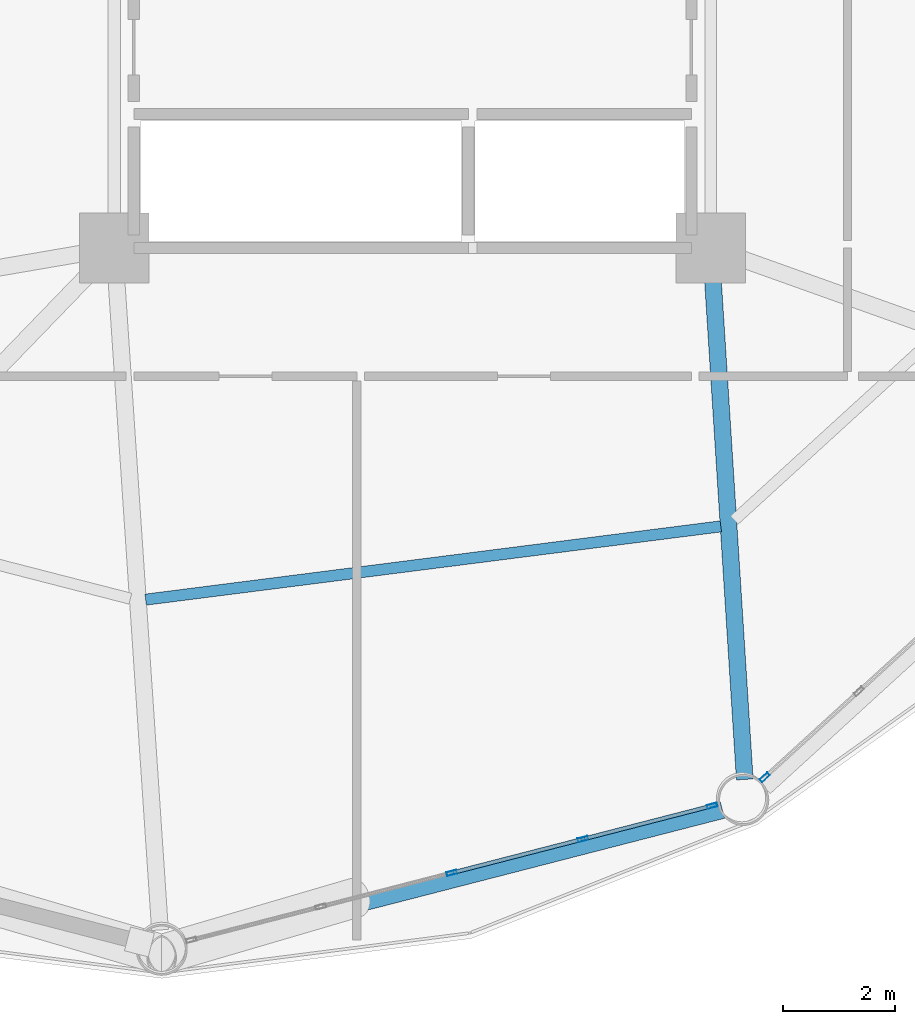
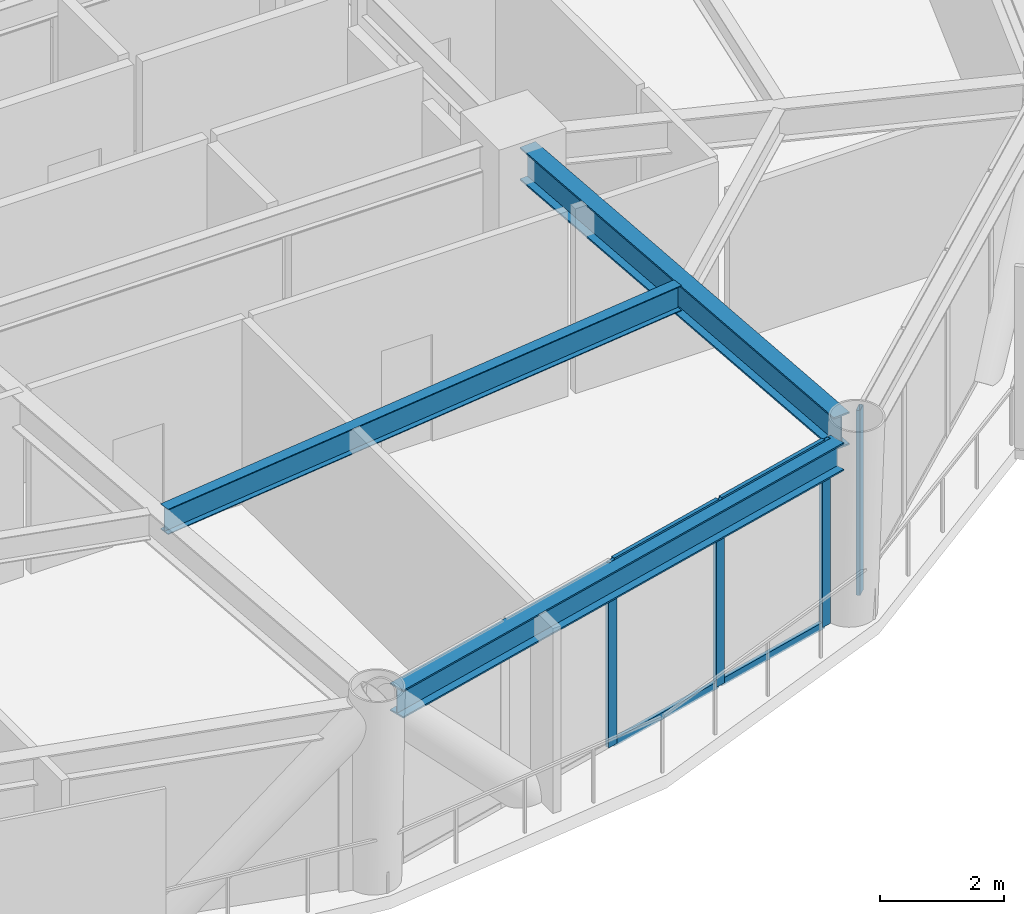
# One storey, part 8 of 26: 8 members, 3 beams, 2 elements without a shape of their own.
"""IFC4 building model written with IfcOpenShell, lengths in metres."""

import ifcopenshell
import ifcopenshell.guid

model = None  # the IFC model being written
_history = None  # IfcOwnerHistory: only IFC2X3 demands one
_inside = {}  # id of a spatial element -> (the spatial element, [elements in it])
_under = {}  # id of a project, library or spatial element -> (it, [spatial elements below it])
_declared = {}  # id of a project -> (the project, [libraries it declares])
_typed = {}  # id of a type object -> (the type object, [elements of that type])
_made_of = {}  # id of a material, layer set ... -> (it, [elements and type objects made of it])


def new_model(schema):
    """Start an empty IFC model of exactly this schema.

    Asked for "IFC4X3", IfcOpenShell would pick the latest addendum, in which some entities
    have other attributes; the version numbers below select the first issue.
    IFC2X3 requires an IfcOwnerHistory on every rooted entity: one is made here for all.
    """
    global model, _history
    if schema == "IFC4X3":
        model = ifcopenshell.file(schema_version=(4, 3, 0, 0))
    else:
        model = ifcopenshell.file(schema=schema)
    _inside.clear()
    _under.clear()
    _declared.clear()
    _typed.clear()
    _made_of.clear()
    _history = None
    if model.schema == "IFC2X3":
        org = make("IfcOrganization", Name="unknown")
        user = make(
            "IfcPersonAndOrganization",
            ThePerson=make("IfcPerson", FamilyName="unknown"),
            TheOrganization=org,
        )
        app = make(
            "IfcApplication",
            ApplicationDeveloper=org,
            Version="unknown",
            ApplicationFullName="unknown",
            ApplicationIdentifier="unknown",
        )
        _history = make(
            "IfcOwnerHistory",
            OwningUser=user,
            OwningApplication=app,
            ChangeAction="ADDED",
            CreationDate=0,
        )
    return model


def make(cls, **values):
    """One entity of the class cls with the attributes given. An attribute that is None is left unset."""
    return model.create_entity(
        cls, **{name: value for name, value in values.items() if value is not None}
    )


def rooted(cls, **values):
    """An entity with a GlobalId (a new one), such as an element, a storey or a relation."""
    return make(cls, GlobalId=ifcopenshell.guid.new(), OwnerHistory=_history, **values)


def si_unit(unit_type, name, prefix=None):
    """IfcSIUnit, for example si_unit("LENGTHUNIT", "METRE", prefix="MILLI")."""
    return make("IfcSIUnit", UnitType=unit_type, Prefix=prefix, Name=name)


def assignment(units):
    """IfcUnitAssignment: the units of a project."""
    return None if units is None else make("IfcUnitAssignment", Units=units)


def point(xyz):
    """IfcCartesianPoint."""
    return None if xyz is None else make("IfcCartesianPoint", Coordinates=xyz)


def direction(xyz):
    """IfcDirection."""
    return None if xyz is None else make("IfcDirection", DirectionRatios=xyz)


def frame(location, z_axis=None, x_axis=None):
    """IfcAxis2Placement3D, a coordinate frame: its origin and axes. An axis left out is left unset."""
    return make(
        "IfcAxis2Placement3D",
        Location=point(location),
        Axis=direction(z_axis),
        RefDirection=direction(x_axis),
    )


def frame_2d(location, x_axis=None):
    """IfcAxis2Placement2D, a coordinate frame in the plane: its origin and x axis."""
    return make(
        "IfcAxis2Placement2D", Location=point(location), RefDirection=direction(x_axis)
    )


def origin():
    """The frame at (0, 0, 0) with its axes left unset."""
    return frame((0.0, 0.0, 0.0))


def origin_2d():
    """The frame at (0, 0) in the plane with its x axis left unset."""
    return frame_2d((0.0, 0.0))


def place(relative_to, where):
    """IfcLocalPlacement: puts the frame where relative to a parent placement (None: the world)."""
    return make(
        "IfcLocalPlacement", PlacementRelTo=relative_to, RelativePlacement=where
    )


def context(
    kind, dimensions, precision=None, world=None, true_north=None, identifier=None
):
    """IfcGeometricRepresentationContext, for example the 3D "Model" context."""
    return make(
        "IfcGeometricRepresentationContext",
        ContextIdentifier=identifier,
        ContextType=kind,
        CoordinateSpaceDimension=dimensions,
        Precision=precision,
        WorldCoordinateSystem=world,
        TrueNorth=true_north,
    )


def subcontext(parent, identifier, kind, view, scale=None):
    """IfcGeometricRepresentationSubContext, for example "Body" below "Model"."""
    return make(
        "IfcGeometricRepresentationSubContext",
        ContextIdentifier=identifier,
        ContextType=kind,
        ParentContext=parent,
        TargetScale=scale,
        TargetView=view,
    )


def project(units=None, contexts=None):
    """IfcProject with its units and contexts."""
    return rooted(
        "IfcProject",
        Name="project",
        RepresentationContexts=contexts,
        UnitsInContext=assignment(units),
    )


def spatial(cls, under=None, at=None, **own):
    """A site, building, storey or space (cls), placed at a placement, below another one or the project."""
    s = rooted(cls, ObjectPlacement=at, **own)
    if under is not None:
        _under.setdefault(under.id(), (under, []))[1].append(s)
    return s


def profile(cls, at=None, kind="AREA", **sizes):
    """A parametric profile (cls). Its sizes go by their IFC names, for example OverallWidth=200.0."""
    return make(cls, ProfileType=kind, Position=at, **sizes)


def hollow_rectangle(**sizes):
    """IfcRectangleHollowProfileDef."""
    return profile("IfcRectangleHollowProfileDef", **sizes)


def i_section(**sizes):
    """IfcIShapeProfileDef."""
    return profile("IfcIShapeProfileDef", **sizes)


def extrude(swept, where, along, depth):
    """IfcExtrudedAreaSolid: the profile swept, set in the frame where, extruded along a direction by depth."""
    return make(
        "IfcExtrudedAreaSolid",
        SweptArea=swept,
        Position=where,
        ExtrudedDirection=direction(along),
        Depth=depth,
    )


def shape(context_of_items, identifier, shape_type, items):
    """IfcShapeRepresentation: the items that make up one representation, for example the "Body"."""
    return make(
        "IfcShapeRepresentation",
        ContextOfItems=context_of_items,
        RepresentationIdentifier=identifier,
        RepresentationType=shape_type,
        Items=items,
    )


def material(Name=None, Category=None):
    """IfcMaterial."""
    return make("IfcMaterial", Name=Name, Category=Category)


def layer(
    of_material, thickness, ventilated=None, Name=None, Category=None, Priority=None
):
    """IfcMaterialLayer: one layer of a wall or slab, of a material (None: an air gap)."""
    return make(
        "IfcMaterialLayer",
        Material=of_material,
        LayerThickness=thickness,
        IsVentilated=ventilated,
        Name=Name,
        Category=Category,
        Priority=Priority,
    )


def layer_set(layers, Name=None):
    """IfcMaterialLayerSet."""
    return make("IfcMaterialLayerSet", MaterialLayers=layers, LayerSetName=Name)


def material_profile(
    of_material, cross_section, Name=None, Category=None, Priority=None
):
    """IfcMaterialProfile: a cross section and its material."""
    return make(
        "IfcMaterialProfile",
        Name=Name,
        Material=of_material,
        Profile=cross_section,
        Priority=Priority,
        Category=Category,
    )


def profile_set(profiles, Name=None, composite=None):
    """IfcMaterialProfileSet."""
    return make(
        "IfcMaterialProfileSet",
        Name=Name,
        MaterialProfiles=profiles,
        CompositeProfile=composite,
    )


def made_of(thing, what):
    """Note that an element or type object is made of a material, layer set ...; save() writes the relation."""
    if what is not None:
        _made_of.setdefault(what.id(), (what, []))[1].append(thing)
    return thing


def type_object(cls, material=None, **own):
    """A type object (cls), such as IfcWallType, which elements share."""
    return made_of(rooted(cls, **own), material)


def element(
    cls,
    number,
    at=None,
    inside=None,
    cuts=None,
    type_object=None,
    material=None,
    context=None,
    identifier="Body",
    shape_type=None,
    held_by="IfcProductDefinitionShape",
    body=None,
    shapes=None,
    **own,
):
    """One element of the class cls, such as IfcWall. Its Tag is "e" and its number.

    at: its placement. inside: the storey or other place that contains it. cuts: it is an
    opening in that element (IfcRelVoidsElement). A single representation is given by context,
    identifier, shape_type and body (its items); several are given by shapes. held_by: the class
    of the entity that holds the representations. save() writes the other relations.
    """
    e = rooted(cls, Tag="e%d" % number, ObjectPlacement=at, **own)
    if body is not None:
        shapes = [shape(context, identifier, shape_type, body)]
    if shapes is not None:
        e.Representation = make(held_by, Representations=shapes)
    if inside is not None:
        _inside.setdefault(inside.id(), (inside, []))[1].append(e)
    if cuts is not None:
        rooted(
            "IfcRelVoidsElement", RelatingBuildingElement=cuts, RelatedOpeningElement=e
        )
    if type_object is not None:
        _typed.setdefault(type_object.id(), (type_object, []))[1].append(e)
    return made_of(e, material)


def aggregate(whole, parts):
    """IfcRelAggregates: a whole, such as a stair, and the parts it consists of."""
    return rooted("IfcRelAggregates", RelatingObject=whole, RelatedObjects=parts)


def save(model, path):
    """Write the relations noted so far, then the file.

    IfcRelAggregates (storeys below a building ...), IfcRelContainedInSpatialStructure (elements
    in a storey), IfcRelDefinesByType, IfcRelAssociatesMaterial and IfcRelDeclares: one each for
    every whole, place, type object, material and project.
    """
    for whole, parts in _under.values():
        aggregate(whole, parts)
    for where, things in _inside.values():
        rooted(
            "IfcRelContainedInSpatialStructure",
            RelatedElements=things,
            RelatingStructure=where,
        )
    for kind, things in _typed.values():
        rooted("IfcRelDefinesByType", RelatedObjects=things, RelatingType=kind)
    for what, things in _made_of.values():
        rooted("IfcRelAssociatesMaterial", RelatedObjects=things, RelatingMaterial=what)
    for by, libraries in _declared.values():
        rooted("IfcRelDeclares", RelatingContext=by, RelatedDefinitions=libraries)
    model.write(path)


model = new_model("IFC4")

# Units and contexts
model_context = context("Model", 3, precision=1e-05, world=origin(), true_north=direction((0.0, 1.0)))
body_context = subcontext(model_context, "Body", "Model", "MODEL_VIEW")
ifc_project = project(units=[si_unit("LENGTHUNIT", "METRE"), si_unit("AREAUNIT", "SQUARE_METRE"), si_unit("VOLUMEUNIT", "CUBIC_METRE"), si_unit("PLANEANGLEUNIT", "RADIAN"), si_unit("MASSUNIT", "GRAM", prefix="KILO")], contexts=[model_context])

# Site, building, storey
site_placement = place(None, origin())
site = spatial("IfcSite", under=ifc_project, at=site_placement, CompositionType="ELEMENT")
building_placement = place(site_placement, origin())
building = spatial("IfcBuilding", under=site, at=building_placement, Name="Varnakorn Sky Granary", CompositionType="ELEMENT")
storey_placement = place(building_placement, frame((0.0, 0.0, 47.10009765625)))
storey = spatial("IfcBuildingStorey", under=building, at=storey_placement, Name="L11", CompositionType="ELEMENT", Elevation=47.10009765625)

# Beams
ifc_material_1 = material(Name="Steel S355JR", Category="steel")
ifc_material_profile_1 = material_profile(ifc_material_1, i_section(OverallWidth=0.300048828125, OverallDepth=0.64990234375, WebThickness=0.01611328125, FlangeThickness=0.031005859375, at=origin_2d()), Name="HE 650 B")
ifc_profile_set_1 = profile_set([ifc_material_profile_1], Name="Steel S355JR")
beam_type_1 = type_object("IfcBeamType", Name="BM-RAD-Z1", PredefinedType="BEAM", material=ifc_profile_set_1)
beam_1_placement = place(storey_placement, frame((8.376708984375, -7.01904296875, 3.31494140625), z_axis=(0.063706385657, -0.997968685093, 0.0), x_axis=(0.997968685093, 0.063706385657, 0.0)))
element("IfcBeam", 1, at=beam_1_placement, inside=storey, type_object=beam_type_1, Name="Radial Floor Girder RG11 L11", PredefinedType="BEAM", context=body_context, shape_type="SweptSolid", body=[
    extrude(i_section(OverallWidth=0.300048828125, OverallDepth=0.64990234375, WebThickness=0.01611328125, FlangeThickness=0.031005859375, at=origin_2d()), origin(), (0.0, 0.0, 1.0), 9.13232421875),
])
ifc_material_profile_2 = material_profile(ifc_material_1, i_section(OverallWidth=0.199951171875, OverallDepth=0.5, WebThickness=0.01025390625, FlangeThickness=0.01611328125, at=origin_2d()), Name="IPE 500")
ifc_profile_set_2 = profile_set([ifc_material_profile_2], Name="Steel S355JR")
beam_type_2 = type_object("IfcBeamType", Name="BM-SEC-Z1", PredefinedType="BEAM", material=ifc_profile_set_2)
beam_2_placement = place(storey_placement, frame((-1.786865234375, -12.907958984375, 3.389892578125), z_axis=(0.991982186379, 0.126377774579, 0.0), x_axis=(-0.126377774579, 0.991982186379, 0.0)))
element("IfcBeam", 2, at=beam_2_placement, inside=storey, type_object=beam_type_2, Name="Secondary Floor Chord Beam MSB10 L11", PredefinedType="BEAM", context=body_context, shape_type="SweptSolid", body=[
    extrude(i_section(OverallWidth=0.199951171875, OverallDepth=0.5, WebThickness=0.01025390625, FlangeThickness=0.01611328125, at=origin_2d()), origin(), (0.0, 0.0, 1.0), 10.399169921875),
])
ifc_material_profile_3 = material_profile(ifc_material_1, i_section(OverallWidth=0.300048828125, OverallDepth=0.550048828125, WebThickness=0.014892578125, FlangeThickness=0.029052734375, at=origin_2d()), Name="HE 550 B")
ifc_profile_set_3 = profile_set([ifc_material_profile_3], Name="Steel S355JR")
beam_type_3 = type_object("IfcBeamType", Name="BM-SPD-Z1", PredefinedType="SPANDREL", material=ifc_profile_set_3)
beam_3_placement = place(storey_placement, frame((-1.072021484375, -19.162841796875, 3.364990234375), z_axis=(0.968436739223, 0.249259467471, 0.0), x_axis=(-0.249259467471, 0.968436739223, 0.0)))
element("IfcBeam", 3, at=beam_3_placement, inside=storey, type_object=beam_type_3, Name="Perimeter Spandrel Ring Beam RB10 L11", PredefinedType="SPANDREL", context=body_context, shape_type="SweptSolid", body=[
    extrude(i_section(OverallWidth=0.300048828125, OverallDepth=0.550048828125, WebThickness=0.014892578125, FlangeThickness=0.029052734375, at=origin_2d()), origin(), (0.0, 0.0, 1.0), 9.944580078125),
])

# Curtain wall, members
ifc_material_2 = material(Name="Anodised Bronze Aluminium Alloy 6063-T6", Category="aluminium")
ifc_layer = layer(ifc_material_2, 0.18994140625, Name="Anodised Bronze Aluminium Alloy 6063-T6")
ifc_layer_set = layer_set([ifc_layer], Name="Anodised Bronze Aluminium Alloy 6063-T6")
curtain_wall_type = type_object("IfcCurtainWallType", Name="CW-FRM-1", PredefinedType="USERDEFINED", material=ifc_layer_set)
curtain_wall_1_placement = place(storey_placement, origin())
curtain_wall_1 = element("IfcCurtainWall", 4, at=curtain_wall_1_placement, inside=storey, type_object=curtain_wall_type, Name="Unitised Curtain Wall CW3 CW-L11-B10", ObjectType="CURTAIN WALL", PredefinedType="USERDEFINED")
ifc_material_profile_4 = material_profile(ifc_material_2, hollow_rectangle(XDim=0.070068359375, YDim=0.18505859375, WallThickness=0.00390625, at=origin_2d()), Name="ALU MULL 70x185")
ifc_profile_set_4 = profile_set([ifc_material_profile_4], Name="Anodised Bronze Aluminium Alloy 6063-T6")
member_type_1 = type_object("IfcMemberType", Name="CW-FRM-1-MULL", PredefinedType="MULLION", material=ifc_profile_set_4)
member_1_placement = place(storey_placement, frame((8.373046875, -16.605224609375, 0.0), z_axis=(0.0, 0.0, 1.0), x_axis=(0.24959498948, -0.968350319475, 0.0)))
member_1 = element("IfcMember", 5, at=member_1_placement, type_object=member_type_1, Name="CW3 mullion 1", PredefinedType="MULLION", context=body_context, shape_type="SweptSolid", body=[
    extrude(hollow_rectangle(XDim=0.070068359375, YDim=0.18505859375, WallThickness=0.00390625, at=origin_2d()), origin(), (0.0, 0.0, 1.0), 3.639892578125),
])
member_2_placement = place(storey_placement, frame((6.055419921875, -17.20263671875, 0.0), z_axis=(0.0, 0.0, 1.0), x_axis=(0.24959498948, -0.968350319475, 0.0)))
member_2 = element("IfcMember", 6, at=member_2_placement, type_object=member_type_1, Name="CW3 mullion 2", PredefinedType="MULLION", context=body_context, shape_type="SweptSolid", body=[
    extrude(hollow_rectangle(XDim=0.070068359375, YDim=0.18505859375, WallThickness=0.00390625, at=origin_2d()), origin(), (0.0, 0.0, 1.0), 3.639892578125),
])
member_3_placement = place(storey_placement, frame((3.703857421875, -17.808837890625, 0.0), z_axis=(0.0, 0.0, 1.0), x_axis=(0.24959498948, -0.968350319475, 0.0)))
member_3 = element("IfcMember", 7, at=member_3_placement, type_object=member_type_1, Name="CW3 mullion 3", PredefinedType="MULLION", context=body_context, shape_type="SweptSolid", body=[
    extrude(hollow_rectangle(XDim=0.070068359375, YDim=0.18505859375, WallThickness=0.00390625, at=origin_2d()), origin(), (0.0, 0.0, 1.0), 3.639892578125),
])

# Curtain wall, member
curtain_wall_2_placement = place(storey_placement, origin())
curtain_wall_2 = element("IfcCurtainWall", 8, at=curtain_wall_2_placement, inside=storey, type_object=curtain_wall_type, Name="Unitised Curtain Wall CW3 CW-L11-B11", ObjectType="CURTAIN WALL", PredefinedType="USERDEFINED")
member_4_placement = place(storey_placement, frame((9.31494140625, -16.09521484375, 0.0), z_axis=(0.0, 0.0, 1.0), x_axis=(0.674464438954, -0.738307334777, 0.0)))
member_4 = element("IfcMember", 9, at=member_4_placement, type_object=member_type_1, Name="CW3 mullion 5", PredefinedType="MULLION", context=body_context, shape_type="SweptSolid", body=[
    extrude(hollow_rectangle(XDim=0.070068359375, YDim=0.18505859375, WallThickness=0.00390625, at=origin_2d()), origin(), (0.0, 0.0, 1.0), 3.639892578125),
])
aggregate(curtain_wall_2, [member_4])

# Member
ifc_material_profile_5 = material_profile(ifc_material_2, hollow_rectangle(XDim=0.070068359375, YDim=0.139892578125, WallThickness=0.00341796875, at=origin_2d()), Name="ALU TRAN 70x140")
ifc_profile_set_5 = profile_set([ifc_material_profile_5], Name="Anodised Bronze Aluminium Alloy 6063-T6")
member_type_2 = type_object("IfcMemberType", Name="CW-FRM-1-TRAN", PredefinedType="USERDEFINED", material=ifc_profile_set_5)
member_5_placement = place(storey_placement, frame((8.339111328125, -16.614013671875, 0.034912109375), z_axis=(-0.968361737609, -0.249550686504, 0.0), x_axis=(0.249550686504, -0.968361737609, 0.0)))
member_5 = element("IfcMember", 10, at=member_5_placement, type_object=member_type_2, Name="CW3 transom 1.1", ObjectType="TRANSOM", PredefinedType="USERDEFINED", context=body_context, shape_type="SweptSolid", body=[
    extrude(hollow_rectangle(XDim=0.070068359375, YDim=0.139892578125, WallThickness=0.00341796875, at=origin_2d()), origin(), (0.0, 0.0, 1.0), 2.323486328125),
])

member_6_placement = place(storey_placement, frame((8.339111328125, -16.614013671875, 3.60498046875), z_axis=(-0.968361737609, -0.249550686504, 0.0), x_axis=(0.249550686504, -0.968361737609, 0.0)))
member_6 = element("IfcMember", 11, at=member_6_placement, type_object=member_type_2, Name="CW3 transom 1.2", ObjectType="TRANSOM", PredefinedType="USERDEFINED", context=body_context, shape_type="SweptSolid", body=[
    extrude(hollow_rectangle(XDim=0.070068359375, YDim=0.139892578125, WallThickness=0.00341796875, at=origin_2d()), origin(), (0.0, 0.0, 1.0), 2.323486328125),
])

member_7_placement = place(storey_placement, frame((6.021484375, -17.21142578125, 0.034912109375), z_axis=(-0.968357256269, -0.249568075346, 0.0), x_axis=(0.249568075346, -0.968357256269, 0.0)))
member_7 = element("IfcMember", 12, at=member_7_placement, type_object=member_type_2, Name="CW3 transom 2.1", ObjectType="TRANSOM", PredefinedType="USERDEFINED", context=body_context, shape_type="SweptSolid", body=[
    extrude(hollow_rectangle(XDim=0.070068359375, YDim=0.139892578125, WallThickness=0.00341796875, at=origin_2d()), origin(), (0.0, 0.0, 1.0), 2.358642578125),
])

member_8_placement = place(storey_placement, frame((6.021484375, -17.21142578125, 3.60498046875), z_axis=(-0.968357256269, -0.249568075346, 0.0), x_axis=(0.249568075346, -0.968357256269, 0.0)))
member_8 = element("IfcMember", 13, at=member_8_placement, type_object=member_type_2, Name="CW3 transom 2.2", ObjectType="TRANSOM", PredefinedType="USERDEFINED", context=body_context, shape_type="SweptSolid", body=[
    extrude(hollow_rectangle(XDim=0.070068359375, YDim=0.139892578125, WallThickness=0.00341796875, at=origin_2d()), origin(), (0.0, 0.0, 1.0), 2.358642578125),
])

aggregate(curtain_wall_1, [member_1, member_2, member_3, member_5, member_6, member_7, member_8])

save(model, "model.ifc")
